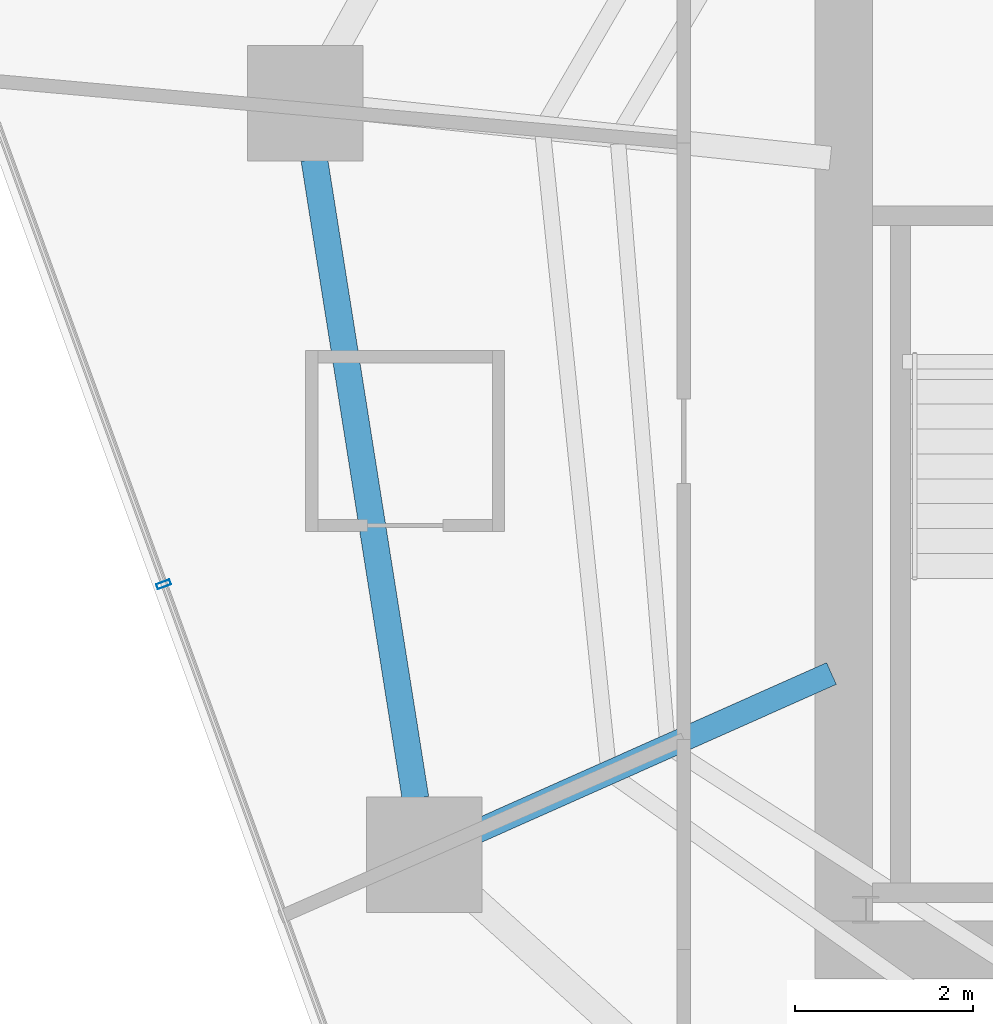
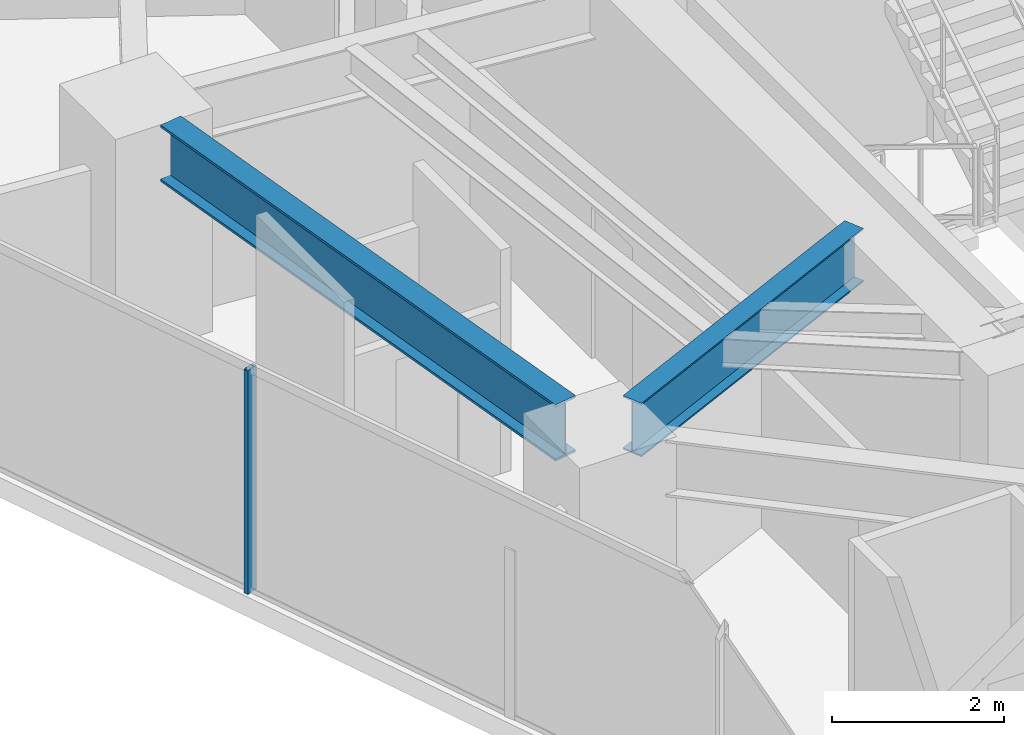
# One storey, part 7 of 33: 2 beams, 1 member, 1 element without a shape of its own.
"""IFC4 building model written with IfcOpenShell, lengths in metres."""

import ifcopenshell
import ifcopenshell.guid

model = None  # the IFC model being written
_history = None  # IfcOwnerHistory: only IFC2X3 demands one
_inside = {}  # id of a spatial element -> (the spatial element, [elements in it])
_under = {}  # id of a project, library or spatial element -> (it, [spatial elements below it])
_declared = {}  # id of a project -> (the project, [libraries it declares])
_typed = {}  # id of a type object -> (the type object, [elements of that type])
_made_of = {}  # id of a material, layer set ... -> (it, [elements and type objects made of it])


def new_model(schema):
    """Start an empty IFC model of exactly this schema.

    Asked for "IFC4X3", IfcOpenShell would pick the latest addendum, in which some entities
    have other attributes; the version numbers below select the first issue.
    IFC2X3 requires an IfcOwnerHistory on every rooted entity: one is made here for all.
    """
    global model, _history
    if schema == "IFC4X3":
        model = ifcopenshell.file(schema_version=(4, 3, 0, 0))
    else:
        model = ifcopenshell.file(schema=schema)
    _inside.clear()
    _under.clear()
    _declared.clear()
    _typed.clear()
    _made_of.clear()
    _history = None
    if model.schema == "IFC2X3":
        org = make("IfcOrganization", Name="unknown")
        user = make(
            "IfcPersonAndOrganization",
            ThePerson=make("IfcPerson", FamilyName="unknown"),
            TheOrganization=org,
        )
        app = make(
            "IfcApplication",
            ApplicationDeveloper=org,
            Version="unknown",
            ApplicationFullName="unknown",
            ApplicationIdentifier="unknown",
        )
        _history = make(
            "IfcOwnerHistory",
            OwningUser=user,
            OwningApplication=app,
            ChangeAction="ADDED",
            CreationDate=0,
        )
    return model


def make(cls, **values):
    """One entity of the class cls with the attributes given. An attribute that is None is left unset."""
    return model.create_entity(
        cls, **{name: value for name, value in values.items() if value is not None}
    )


def rooted(cls, **values):
    """An entity with a GlobalId (a new one), such as an element, a storey or a relation."""
    return make(cls, GlobalId=ifcopenshell.guid.new(), OwnerHistory=_history, **values)


def si_unit(unit_type, name, prefix=None):
    """IfcSIUnit, for example si_unit("LENGTHUNIT", "METRE", prefix="MILLI")."""
    return make("IfcSIUnit", UnitType=unit_type, Prefix=prefix, Name=name)


def assignment(units):
    """IfcUnitAssignment: the units of a project."""
    return None if units is None else make("IfcUnitAssignment", Units=units)


def point(xyz):
    """IfcCartesianPoint."""
    return None if xyz is None else make("IfcCartesianPoint", Coordinates=xyz)


def direction(xyz):
    """IfcDirection."""
    return None if xyz is None else make("IfcDirection", DirectionRatios=xyz)


def frame(location, z_axis=None, x_axis=None):
    """IfcAxis2Placement3D, a coordinate frame: its origin and axes. An axis left out is left unset."""
    return make(
        "IfcAxis2Placement3D",
        Location=point(location),
        Axis=direction(z_axis),
        RefDirection=direction(x_axis),
    )


def frame_2d(location, x_axis=None):
    """IfcAxis2Placement2D, a coordinate frame in the plane: its origin and x axis."""
    return make(
        "IfcAxis2Placement2D", Location=point(location), RefDirection=direction(x_axis)
    )


def origin():
    """The frame at (0, 0, 0) with its axes left unset."""
    return frame((0.0, 0.0, 0.0))


def origin_2d():
    """The frame at (0, 0) in the plane with its x axis left unset."""
    return frame_2d((0.0, 0.0))


def place(relative_to, where):
    """IfcLocalPlacement: puts the frame where relative to a parent placement (None: the world)."""
    return make(
        "IfcLocalPlacement", PlacementRelTo=relative_to, RelativePlacement=where
    )


def context(
    kind, dimensions, precision=None, world=None, true_north=None, identifier=None
):
    """IfcGeometricRepresentationContext, for example the 3D "Model" context."""
    return make(
        "IfcGeometricRepresentationContext",
        ContextIdentifier=identifier,
        ContextType=kind,
        CoordinateSpaceDimension=dimensions,
        Precision=precision,
        WorldCoordinateSystem=world,
        TrueNorth=true_north,
    )


def subcontext(parent, identifier, kind, view, scale=None):
    """IfcGeometricRepresentationSubContext, for example "Body" below "Model"."""
    return make(
        "IfcGeometricRepresentationSubContext",
        ContextIdentifier=identifier,
        ContextType=kind,
        ParentContext=parent,
        TargetScale=scale,
        TargetView=view,
    )


def project(units=None, contexts=None):
    """IfcProject with its units and contexts."""
    return rooted(
        "IfcProject",
        Name="project",
        RepresentationContexts=contexts,
        UnitsInContext=assignment(units),
    )


def spatial(cls, under=None, at=None, **own):
    """A site, building, storey or space (cls), placed at a placement, below another one or the project."""
    s = rooted(cls, ObjectPlacement=at, **own)
    if under is not None:
        _under.setdefault(under.id(), (under, []))[1].append(s)
    return s


def profile(cls, at=None, kind="AREA", **sizes):
    """A parametric profile (cls). Its sizes go by their IFC names, for example OverallWidth=200.0."""
    return make(cls, ProfileType=kind, Position=at, **sizes)


def hollow_rectangle(**sizes):
    """IfcRectangleHollowProfileDef."""
    return profile("IfcRectangleHollowProfileDef", **sizes)


def i_section(**sizes):
    """IfcIShapeProfileDef."""
    return profile("IfcIShapeProfileDef", **sizes)


def extrude(swept, where, along, depth):
    """IfcExtrudedAreaSolid: the profile swept, set in the frame where, extruded along a direction by depth."""
    return make(
        "IfcExtrudedAreaSolid",
        SweptArea=swept,
        Position=where,
        ExtrudedDirection=direction(along),
        Depth=depth,
    )


def shape(context_of_items, identifier, shape_type, items):
    """IfcShapeRepresentation: the items that make up one representation, for example the "Body"."""
    return make(
        "IfcShapeRepresentation",
        ContextOfItems=context_of_items,
        RepresentationIdentifier=identifier,
        RepresentationType=shape_type,
        Items=items,
    )


def material(Name=None, Category=None):
    """IfcMaterial."""
    return make("IfcMaterial", Name=Name, Category=Category)


def layer(
    of_material, thickness, ventilated=None, Name=None, Category=None, Priority=None
):
    """IfcMaterialLayer: one layer of a wall or slab, of a material (None: an air gap)."""
    return make(
        "IfcMaterialLayer",
        Material=of_material,
        LayerThickness=thickness,
        IsVentilated=ventilated,
        Name=Name,
        Category=Category,
        Priority=Priority,
    )


def layer_set(layers, Name=None):
    """IfcMaterialLayerSet."""
    return make("IfcMaterialLayerSet", MaterialLayers=layers, LayerSetName=Name)


def material_profile(
    of_material, cross_section, Name=None, Category=None, Priority=None
):
    """IfcMaterialProfile: a cross section and its material."""
    return make(
        "IfcMaterialProfile",
        Name=Name,
        Material=of_material,
        Profile=cross_section,
        Priority=Priority,
        Category=Category,
    )


def profile_set(profiles, Name=None, composite=None):
    """IfcMaterialProfileSet."""
    return make(
        "IfcMaterialProfileSet",
        Name=Name,
        MaterialProfiles=profiles,
        CompositeProfile=composite,
    )


def made_of(thing, what):
    """Note that an element or type object is made of a material, layer set ...; save() writes the relation."""
    if what is not None:
        _made_of.setdefault(what.id(), (what, []))[1].append(thing)
    return thing


def type_object(cls, material=None, **own):
    """A type object (cls), such as IfcWallType, which elements share."""
    return made_of(rooted(cls, **own), material)


def element(
    cls,
    number,
    at=None,
    inside=None,
    cuts=None,
    type_object=None,
    material=None,
    context=None,
    identifier="Body",
    shape_type=None,
    held_by="IfcProductDefinitionShape",
    body=None,
    shapes=None,
    **own,
):
    """One element of the class cls, such as IfcWall. Its Tag is "e" and its number.

    at: its placement. inside: the storey or other place that contains it. cuts: it is an
    opening in that element (IfcRelVoidsElement). A single representation is given by context,
    identifier, shape_type and body (its items); several are given by shapes. held_by: the class
    of the entity that holds the representations. save() writes the other relations.
    """
    e = rooted(cls, Tag="e%d" % number, ObjectPlacement=at, **own)
    if body is not None:
        shapes = [shape(context, identifier, shape_type, body)]
    if shapes is not None:
        e.Representation = make(held_by, Representations=shapes)
    if inside is not None:
        _inside.setdefault(inside.id(), (inside, []))[1].append(e)
    if cuts is not None:
        rooted(
            "IfcRelVoidsElement", RelatingBuildingElement=cuts, RelatedOpeningElement=e
        )
    if type_object is not None:
        _typed.setdefault(type_object.id(), (type_object, []))[1].append(e)
    return made_of(e, material)


def aggregate(whole, parts):
    """IfcRelAggregates: a whole, such as a stair, and the parts it consists of."""
    return rooted("IfcRelAggregates", RelatingObject=whole, RelatedObjects=parts)


def save(model, path):
    """Write the relations noted so far, then the file.

    IfcRelAggregates (storeys below a building ...), IfcRelContainedInSpatialStructure (elements
    in a storey), IfcRelDefinesByType, IfcRelAssociatesMaterial and IfcRelDeclares: one each for
    every whole, place, type object, material and project.
    """
    for whole, parts in _under.values():
        aggregate(whole, parts)
    for where, things in _inside.values():
        rooted(
            "IfcRelContainedInSpatialStructure",
            RelatedElements=things,
            RelatingStructure=where,
        )
    for kind, things in _typed.values():
        rooted("IfcRelDefinesByType", RelatedObjects=things, RelatingType=kind)
    for what, things in _made_of.values():
        rooted("IfcRelAssociatesMaterial", RelatedObjects=things, RelatingMaterial=what)
    for by, libraries in _declared.values():
        rooted("IfcRelDeclares", RelatingContext=by, RelatedDefinitions=libraries)
    model.write(path)


model = new_model("IFC4")

# Units and contexts
model_context = context("Model", 3, precision=1e-05, world=origin(), true_north=direction((0.0, 1.0)))
body_context = subcontext(model_context, "Body", "Model", "MODEL_VIEW")
ifc_project = project(units=[si_unit("LENGTHUNIT", "METRE"), si_unit("AREAUNIT", "SQUARE_METRE"), si_unit("VOLUMEUNIT", "CUBIC_METRE"), si_unit("PLANEANGLEUNIT", "RADIAN"), si_unit("MASSUNIT", "GRAM", prefix="KILO")], contexts=[model_context])

# Site, building, storey
site_placement = place(None, origin())
site = spatial("IfcSite", under=ifc_project, at=site_placement, CompositionType="ELEMENT")
building_placement = place(site_placement, origin())
building = spatial("IfcBuilding", under=site, at=building_placement, Name="Qarnah Convention Tower", CompositionType="ELEMENT")
storey_placement = place(building_placement, frame((0.0, 0.0, 30.449951171875)))
storey = spatial("IfcBuildingStorey", under=building, at=storey_placement, Name="L06", CompositionType="ELEMENT", Elevation=30.449951171875)

# Beams
ifc_material_1 = material(Name="Structural steel S355JR", Category="steel")
ifc_material_profile_1 = material_profile(ifc_material_1, i_section(OverallWidth=0.26806640625, OverallDepth=0.760009765625, WebThickness=0.014892578125, FlangeThickness=0.02197265625, at=origin_2d()), Name="W760X185")
ifc_profile_set_1 = profile_set([ifc_material_profile_1], Name="Structural steel S355JR")
beam_type_1 = type_object("IfcBeamType", Name="BM-RAD-W760", PredefinedType="BEAM", material=ifc_profile_set_1)
beam_1_placement = place(storey_placement, frame((26.6630859375, 21.708984375, 2.7900390625), z_axis=(-0.913519753242, -0.406794371195, 0.0), x_axis=(0.406794371195, -0.913519753242, 0.0)))
element("IfcBeam", 1, at=beam_1_placement, inside=storey, type_object=beam_type_1, Name="L06 beam BM-L06-RAD-06", PredefinedType="BEAM", context=body_context, shape_type="SweptSolid", body=[
    extrude(i_section(OverallWidth=0.26806640625, OverallDepth=0.760009765625, WebThickness=0.014892578125, FlangeThickness=0.02197265625, at=origin_2d()), origin(), (0.0, 0.0, 1.0), 4.38525390625),
])
ifc_material_profile_2 = material_profile(ifc_material_1, i_section(OverallWidth=0.300048828125, OverallDepth=0.800048828125, WebThickness=0.01806640625, FlangeThickness=0.032958984375, at=origin_2d()), Name="HEB800")
ifc_profile_set_2 = profile_set([ifc_material_profile_2], Name="Structural steel S355JR")
beam_type_2 = type_object("IfcBeamType", Name="BM-RING-HEB800", PredefinedType="BEAM", material=ifc_profile_set_2)
beam_2_placement = place(storey_placement, frame((20.841064453125, 27.498046875, 2.77001953125), z_axis=(0.156433977502, -0.987688417814, 0.0), x_axis=(0.987688417814, 0.156433977502, 0.0)))
element("IfcBeam", 2, at=beam_2_placement, inside=storey, type_object=beam_type_2, Name="L06 beam BM-L06-SPN-05", PredefinedType="BEAM", context=body_context, shape_type="SweptSolid", body=[
    extrude(i_section(OverallWidth=0.300048828125, OverallDepth=0.800048828125, WebThickness=0.01806640625, FlangeThickness=0.032958984375, at=origin_2d()), origin(), (0.0, 0.0, 1.0), 7.28662109375),
])

# Curtain wall, member
ifc_material_2 = material(Name="Tempered Low-E dark glass", Category="glass")
ifc_layer = layer(ifc_material_2, 0.16796875)
ifc_layer_set = layer_set([ifc_layer], Name="Tempered Low-E dark glass")
curtain_wall_type = type_object("IfcCurtainWallType", Name="CWS-01", PredefinedType="NOTDEFINED", material=ifc_layer_set)
curtain_wall_placement = place(storey_placement, origin())
curtain_wall = element("IfcCurtainWall", 3, at=curtain_wall_placement, inside=storey, type_object=curtain_wall_type, Name="L06 unitised curtain wall CW-L06-F2", PredefinedType="NOTDEFINED")
ifc_material_3 = material(Name="Black anodised aluminium", Category="aluminium")
ifc_material_profile_3 = material_profile(ifc_material_3, hollow_rectangle(XDim=0.06005859375, YDim=0.159912109375, WallThickness=0.00390625, at=origin_2d()), Name="MUL-60X160")
ifc_profile_set_3 = profile_set([ifc_material_profile_3], Name="Black anodised aluminium")
member_type = type_object("IfcMemberType", Name="MUL-T1", PredefinedType="MULLION", material=ifc_profile_set_3)
member_placement = place(storey_placement, frame((19.1455078125, 22.712646484375, 0.0), z_axis=(0.0, 0.0, 1.0), x_axis=(-0.340727130958, 0.940162231867, 0.0)))
member = element("IfcMember", 4, at=member_placement, type_object=member_type, Name="CW-L06-F2 mullion 4", PredefinedType="MULLION", context=body_context, shape_type="SweptSolid", body=[
    extrude(hollow_rectangle(XDim=0.06005859375, YDim=0.159912109375, WallThickness=0.00390625, at=origin_2d()), origin(), (0.0, 0.0, 1.0), 3.170166015625),
])
aggregate(curtain_wall, [member])

save(model, "model.ifc")
